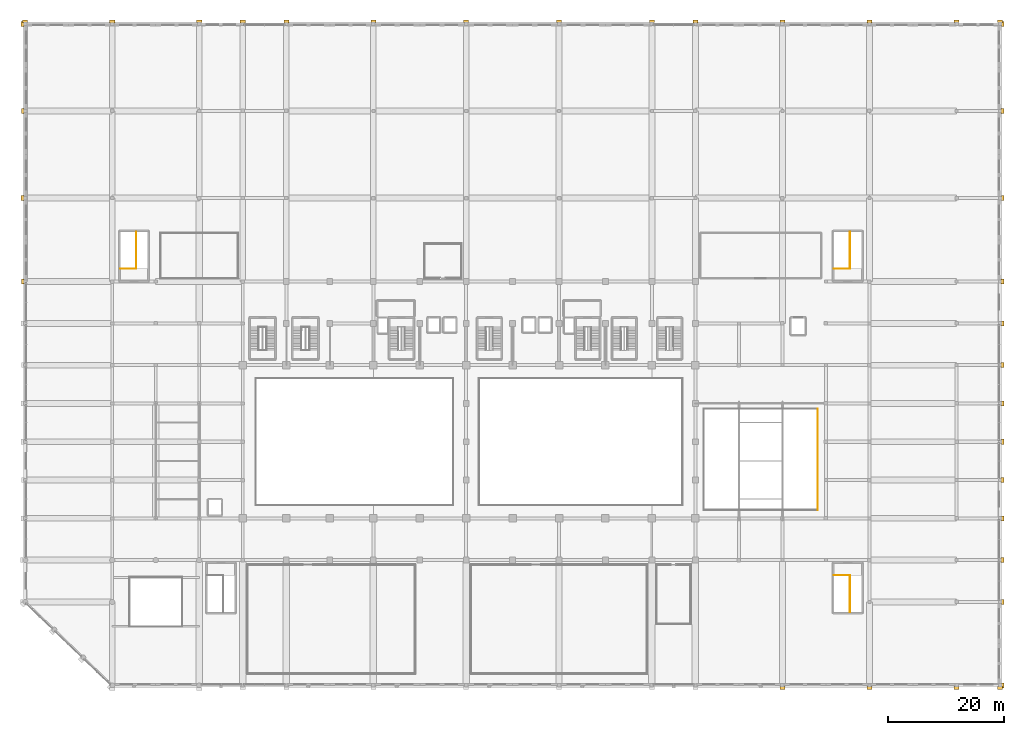
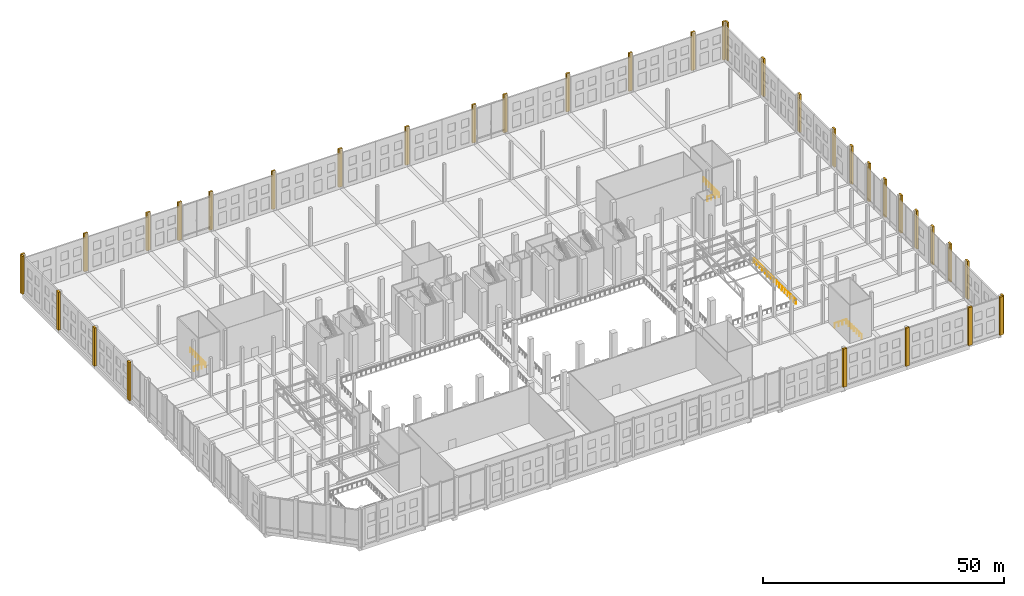
# One storey, part 80 of 80: 35 coverings, 4 railings.
"""IFC4 building model written with IfcOpenShell, lengths in metres."""

import ifcopenshell
import ifcopenshell.guid

model = None  # the IFC model being written
_history = None  # IfcOwnerHistory: only IFC2X3 demands one
_inside = {}  # id of a spatial element -> (the spatial element, [elements in it])
_under = {}  # id of a project, library or spatial element -> (it, [spatial elements below it])
_declared = {}  # id of a project -> (the project, [libraries it declares])
_typed = {}  # id of a type object -> (the type object, [elements of that type])
_made_of = {}  # id of a material, layer set ... -> (it, [elements and type objects made of it])


def new_model(schema):
    """Start an empty IFC model of exactly this schema.

    Asked for "IFC4X3", IfcOpenShell would pick the latest addendum, in which some entities
    have other attributes; the version numbers below select the first issue.
    IFC2X3 requires an IfcOwnerHistory on every rooted entity: one is made here for all.
    """
    global model, _history
    if schema == "IFC4X3":
        model = ifcopenshell.file(schema_version=(4, 3, 0, 0))
    else:
        model = ifcopenshell.file(schema=schema)
    _inside.clear()
    _under.clear()
    _declared.clear()
    _typed.clear()
    _made_of.clear()
    _history = None
    if model.schema == "IFC2X3":
        org = make("IfcOrganization", Name="unknown")
        user = make(
            "IfcPersonAndOrganization",
            ThePerson=make("IfcPerson", FamilyName="unknown"),
            TheOrganization=org,
        )
        app = make(
            "IfcApplication",
            ApplicationDeveloper=org,
            Version="unknown",
            ApplicationFullName="unknown",
            ApplicationIdentifier="unknown",
        )
        _history = make(
            "IfcOwnerHistory",
            OwningUser=user,
            OwningApplication=app,
            ChangeAction="ADDED",
            CreationDate=0,
        )
    return model


def make(cls, **values):
    """One entity of the class cls with the attributes given. An attribute that is None is left unset."""
    return model.create_entity(
        cls, **{name: value for name, value in values.items() if value is not None}
    )


def rooted(cls, **values):
    """An entity with a GlobalId (a new one), such as an element, a storey or a relation."""
    return make(cls, GlobalId=ifcopenshell.guid.new(), OwnerHistory=_history, **values)


def si_unit(unit_type, name, prefix=None):
    """IfcSIUnit, for example si_unit("LENGTHUNIT", "METRE", prefix="MILLI")."""
    return make("IfcSIUnit", UnitType=unit_type, Prefix=prefix, Name=name)


def assignment(units):
    """IfcUnitAssignment: the units of a project."""
    return None if units is None else make("IfcUnitAssignment", Units=units)


def point(xyz):
    """IfcCartesianPoint."""
    return None if xyz is None else make("IfcCartesianPoint", Coordinates=xyz)


def direction(xyz):
    """IfcDirection."""
    return None if xyz is None else make("IfcDirection", DirectionRatios=xyz)


def frame(location, z_axis=None, x_axis=None):
    """IfcAxis2Placement3D, a coordinate frame: its origin and axes. An axis left out is left unset."""
    return make(
        "IfcAxis2Placement3D",
        Location=point(location),
        Axis=direction(z_axis),
        RefDirection=direction(x_axis),
    )


def frame_2d(location, x_axis=None):
    """IfcAxis2Placement2D, a coordinate frame in the plane: its origin and x axis."""
    return make(
        "IfcAxis2Placement2D", Location=point(location), RefDirection=direction(x_axis)
    )


def origin():
    """The frame at (0, 0, 0) with its axes left unset."""
    return frame((0.0, 0.0, 0.0))


def origin_2d():
    """The frame at (0, 0) in the plane with its x axis left unset."""
    return frame_2d((0.0, 0.0))


def place(relative_to, where):
    """IfcLocalPlacement: puts the frame where relative to a parent placement (None: the world)."""
    return make(
        "IfcLocalPlacement", PlacementRelTo=relative_to, RelativePlacement=where
    )


def context(
    kind, dimensions, precision=None, world=None, true_north=None, identifier=None
):
    """IfcGeometricRepresentationContext, for example the 3D "Model" context."""
    return make(
        "IfcGeometricRepresentationContext",
        ContextIdentifier=identifier,
        ContextType=kind,
        CoordinateSpaceDimension=dimensions,
        Precision=precision,
        WorldCoordinateSystem=world,
        TrueNorth=true_north,
    )


def subcontext(parent, identifier, kind, view, scale=None):
    """IfcGeometricRepresentationSubContext, for example "Body" below "Model"."""
    return make(
        "IfcGeometricRepresentationSubContext",
        ContextIdentifier=identifier,
        ContextType=kind,
        ParentContext=parent,
        TargetScale=scale,
        TargetView=view,
    )


def project(units=None, contexts=None):
    """IfcProject with its units and contexts."""
    return rooted(
        "IfcProject",
        Name="project",
        RepresentationContexts=contexts,
        UnitsInContext=assignment(units),
    )


def spatial(cls, under=None, at=None, **own):
    """A site, building, storey or space (cls), placed at a placement, below another one or the project."""
    s = rooted(cls, ObjectPlacement=at, **own)
    if under is not None:
        _under.setdefault(under.id(), (under, []))[1].append(s)
    return s


def profile(cls, at=None, kind="AREA", **sizes):
    """A parametric profile (cls). Its sizes go by their IFC names, for example OverallWidth=200.0."""
    return make(cls, ProfileType=kind, Position=at, **sizes)


def rectangle(**sizes):
    """IfcRectangleProfileDef."""
    return profile("IfcRectangleProfileDef", **sizes)


def circle(**sizes):
    """IfcCircleProfileDef."""
    return profile("IfcCircleProfileDef", **sizes)


def extrude(swept, where, along, depth):
    """IfcExtrudedAreaSolid: the profile swept, set in the frame where, extruded along a direction by depth."""
    return make(
        "IfcExtrudedAreaSolid",
        SweptArea=swept,
        Position=where,
        ExtrudedDirection=direction(along),
        Depth=depth,
    )


def shape(context_of_items, identifier, shape_type, items):
    """IfcShapeRepresentation: the items that make up one representation, for example the "Body"."""
    return make(
        "IfcShapeRepresentation",
        ContextOfItems=context_of_items,
        RepresentationIdentifier=identifier,
        RepresentationType=shape_type,
        Items=items,
    )


def material(Name=None, Category=None):
    """IfcMaterial."""
    return make("IfcMaterial", Name=Name, Category=Category)


def layer(
    of_material, thickness, ventilated=None, Name=None, Category=None, Priority=None
):
    """IfcMaterialLayer: one layer of a wall or slab, of a material (None: an air gap)."""
    return make(
        "IfcMaterialLayer",
        Material=of_material,
        LayerThickness=thickness,
        IsVentilated=ventilated,
        Name=Name,
        Category=Category,
        Priority=Priority,
    )


def layer_set(layers, Name=None):
    """IfcMaterialLayerSet."""
    return make("IfcMaterialLayerSet", MaterialLayers=layers, LayerSetName=Name)


def made_of(thing, what):
    """Note that an element or type object is made of a material, layer set ...; save() writes the relation."""
    if what is not None:
        _made_of.setdefault(what.id(), (what, []))[1].append(thing)
    return thing


def type_object(cls, material=None, **own):
    """A type object (cls), such as IfcWallType, which elements share."""
    return made_of(rooted(cls, **own), material)


def element(
    cls,
    number,
    at=None,
    inside=None,
    cuts=None,
    type_object=None,
    material=None,
    context=None,
    identifier="Body",
    shape_type=None,
    held_by="IfcProductDefinitionShape",
    body=None,
    shapes=None,
    **own,
):
    """One element of the class cls, such as IfcWall. Its Tag is "e" and its number.

    at: its placement. inside: the storey or other place that contains it. cuts: it is an
    opening in that element (IfcRelVoidsElement). A single representation is given by context,
    identifier, shape_type and body (its items); several are given by shapes. held_by: the class
    of the entity that holds the representations. save() writes the other relations.
    """
    e = rooted(cls, Tag="e%d" % number, ObjectPlacement=at, **own)
    if body is not None:
        shapes = [shape(context, identifier, shape_type, body)]
    if shapes is not None:
        e.Representation = make(held_by, Representations=shapes)
    if inside is not None:
        _inside.setdefault(inside.id(), (inside, []))[1].append(e)
    if cuts is not None:
        rooted(
            "IfcRelVoidsElement", RelatingBuildingElement=cuts, RelatedOpeningElement=e
        )
    if type_object is not None:
        _typed.setdefault(type_object.id(), (type_object, []))[1].append(e)
    return made_of(e, material)


def aggregate(whole, parts):
    """IfcRelAggregates: a whole, such as a stair, and the parts it consists of."""
    return rooted("IfcRelAggregates", RelatingObject=whole, RelatedObjects=parts)


def save(model, path):
    """Write the relations noted so far, then the file.

    IfcRelAggregates (storeys below a building ...), IfcRelContainedInSpatialStructure (elements
    in a storey), IfcRelDefinesByType, IfcRelAssociatesMaterial and IfcRelDeclares: one each for
    every whole, place, type object, material and project.
    """
    for whole, parts in _under.values():
        aggregate(whole, parts)
    for where, things in _inside.values():
        rooted(
            "IfcRelContainedInSpatialStructure",
            RelatedElements=things,
            RelatingStructure=where,
        )
    for kind, things in _typed.values():
        rooted("IfcRelDefinesByType", RelatedObjects=things, RelatingType=kind)
    for what, things in _made_of.values():
        rooted("IfcRelAssociatesMaterial", RelatedObjects=things, RelatingMaterial=what)
    for by, libraries in _declared.values():
        rooted("IfcRelDeclares", RelatingContext=by, RelatedDefinitions=libraries)
    model.write(path)


model = new_model("IFC4")

# Units and contexts
model_context = context("Model", 3, precision=1e-05, world=origin(), true_north=direction((0.0, 1.0)))
body_context = subcontext(model_context, "Body", "Model", "MODEL_VIEW")
ifc_project = project(units=[si_unit("LENGTHUNIT", "METRE"), si_unit("AREAUNIT", "SQUARE_METRE"), si_unit("VOLUMEUNIT", "CUBIC_METRE"), si_unit("PLANEANGLEUNIT", "RADIAN"), si_unit("MASSUNIT", "GRAM", prefix="KILO")], contexts=[model_context])

# Site, building, storey
site_placement = place(None, origin())
site = spatial("IfcSite", under=ifc_project, at=site_placement, CompositionType="ELEMENT")
building_placement = place(site_placement, origin())
building = spatial("IfcBuilding", under=site, at=building_placement, Name="Akrevak Sports Hall", CompositionType="ELEMENT")
storey_placement = place(building_placement, frame((0.0, 0.0, 14.0)))
storey = spatial("IfcBuildingStorey", under=building, at=storey_placement, Name="L03", CompositionType="ELEMENT", Elevation=14.0)

# Coverings
ifc_material_1 = material(Name="Limestone Ashlar", Category="stone")
ifc_layer_1 = layer(ifc_material_1, 0.47998046875, Name="Limestone Ashlar")
ifc_layer_set_1 = layer_set([ifc_layer_1], Name="Limestone Ashlar")
covering_type = type_object("IfcCoveringType", Name="ARC-COV-PIL-LIM", PredefinedType="CLADDING", material=ifc_layer_set_1)
for number, where, z_axis, x_axis, name in (
    (1, (130.5, -0.449951171875, 0.0), (0.0, 0.0, 1.0), (1.0, 0.0, 0.0), "Giant-Order Limestone Pilaster L03-01-10"),
    (2, (145.5, -0.425048828125, 0.0), (0.0, 0.0, 1.0), (1.0, 0.0, 0.0), "Giant-Order Limestone Pilaster L03-01-11"),
    (3, (160.5, -0.449951171875, 0.0), (0.0, 0.0, 1.0), (1.0, 0.0, 0.0), "Giant-Order Limestone Pilaster L03-01-12"),
    (4, (168.0, -0.449951171875, 0.0), (0.0, 0.0, 1.0), (1.0, 0.0, 0.0), "Giant-Order Limestone Pilaster L03-01-13"),
    (5, (168.449951171875, 0.0, 0.0), (0.0, 0.0, 1.0), (0.0, 1.0, 0.0), "Giant-Order Limestone Pilaster L03-02-13"),
    (6, (168.449951171875, 14.39990234375, 0.0), (0.0, 0.0, 1.0), (0.0, 1.0, 0.0), "Giant-Order Limestone Pilaster L03-02-14"),
    (7, (168.425048828125, 21.60009765625, 0.0), (0.0, 0.0, 1.0), (0.0, 1.0, 0.0), "Giant-Order Limestone Pilaster L03-02-15"),
    (8, (168.449951171875, 28.800048828125, 0.0), (0.0, 0.0, 1.0), (0.0, 1.0, 0.0), "Giant-Order Limestone Pilaster L03-02-16"),
    (9, (168.425048828125, 35.39990234375, 0.0), (0.0, 0.0, 1.0), (0.0, 1.0, 0.0), "Giant-Order Limestone Pilaster L03-02-17"),
    (10, (168.449951171875, 42.0, 0.0), (0.0, 0.0, 1.0), (0.0, 1.0, 0.0), "Giant-Order Limestone Pilaster L03-02-18"),
    (11, (168.449951171875, 48.60009765625, 0.0), (0.0, 0.0, 1.0), (0.0, 1.0, 0.0), "Giant-Order Limestone Pilaster L03-02-19"),
    (12, (168.425048828125, 55.199951171875, 0.0), (0.0, 0.0, 1.0), (0.0, 1.0, 0.0), "Giant-Order Limestone Pilaster L03-02-20"),
    (13, (168.449951171875, 62.39990234375, 0.0), (0.0, 0.0, 1.0), (0.0, 1.0, 0.0), "Giant-Order Limestone Pilaster L03-02-21"),
    (14, (168.425048828125, 69.60009765625, 0.0), (0.0, 0.0, 1.0), (0.0, 1.0, 0.0), "Giant-Order Limestone Pilaster L03-02-22"),
    (15, (168.449951171875, 84.0, 0.0), (0.0, 0.0, 1.0), (0.0, 1.0, 0.0), "Giant-Order Limestone Pilaster L03-02-23"),
    (16, (168.425048828125, 99.0, 0.0), (0.0, 0.0, 1.0), (0.0, 1.0, 0.0), "Giant-Order Limestone Pilaster L03-02-24"),
    (17, (168.449951171875, 114.0, 0.0), (0.0, 0.0, 1.0), (0.0, 1.0, 0.0), "Giant-Order Limestone Pilaster L03-02-25"),
    (18, (0.0, 114.449951171875, 0.0), (0.0, 0.0, 1.0), (-1.0, 0.0, 0.0), "Giant-Order Limestone Pilaster L03-03-26"),
    (19, (15.0, 114.425048828125, 0.0), (0.0, 0.0, 1.0), (-1.0, 0.0, 0.0), "Giant-Order Limestone Pilaster L03-03-27"),
    (20, (30.0, 114.449951171875, 0.0), (0.0, 0.0, 1.0), (-1.0, 0.0, 0.0), "Giant-Order Limestone Pilaster L03-03-28"),
    (21, (37.5, 114.425048828125, 0.0), (0.0, 0.0, 1.0), (-1.0, 0.0, 0.0), "Giant-Order Limestone Pilaster L03-03-29"),
    (22, (45.0, 114.425048828125, 0.0), (0.0, 0.0, 1.0), (-1.0, 0.0, 0.0), "Giant-Order Limestone Pilaster L03-03-30"),
    (23, (60.0, 114.449951171875, 0.0), (0.0, 0.0, 1.0), (-1.0, 0.0, 0.0), "Giant-Order Limestone Pilaster L03-03-31"),
    (24, (76.0, 114.449951171875, 0.0), (0.0, 0.0, 1.0), (-1.0, 0.0, 0.0), "Giant-Order Limestone Pilaster L03-03-32"),
    (25, (92.0, 114.449951171875, 0.0), (0.0, 0.0, 1.0), (-1.0, 0.0, 0.0), "Giant-Order Limestone Pilaster L03-03-33"),
    (26, (108.0, 114.449951171875, 0.0), (0.0, 0.0, 1.0), (-1.0, 0.0, 0.0), "Giant-Order Limestone Pilaster L03-03-34"),
    (27, (115.5, 114.425048828125, 0.0), (0.0, 0.0, 1.0), (-1.0, 0.0, 0.0), "Giant-Order Limestone Pilaster L03-03-35"),
    (28, (130.5, 114.449951171875, 0.0), (0.0, 0.0, 1.0), (-1.0, 0.0, 0.0), "Giant-Order Limestone Pilaster L03-03-36"),
    (29, (145.5, 114.425048828125, 0.0), (0.0, 0.0, 1.0), (-1.0, 0.0, 0.0), "Giant-Order Limestone Pilaster L03-03-37"),
    (30, (160.5, 114.449951171875, 0.0), (0.0, 0.0, 1.0), (-1.0, 0.0, 0.0), "Giant-Order Limestone Pilaster L03-03-38"),
    (31, (168.0, 114.449951171875, 0.0), (0.0, 0.0, 1.0), (-1.0, 0.0, 0.0), "Giant-Order Limestone Pilaster L03-03-38"),
    (32, (-0.425048828125, 69.60009765625, 0.0), (0.0, 0.0, 1.0), (0.0, -1.0, 0.0), "Giant-Order Limestone Pilaster L03-04-47"),
    (33, (-0.449951171875, 84.0, 0.0), (0.0, 0.0, 1.0), (0.0, -1.0, 0.0), "Giant-Order Limestone Pilaster L03-04-48"),
    (34, (-0.425048828125, 99.0, 0.0), (0.0, 0.0, 1.0), (0.0, -1.0, 0.0), "Giant-Order Limestone Pilaster L03-04-49"),
    (35, (-0.449951171875, 114.0, 0.0), (0.0, 0.0, 1.0), (0.0, -1.0, 0.0), "Giant-Order Limestone Pilaster L03-04-49"),
):
    element("IfcCovering", number, at=place(storey_placement, frame(where, z_axis=z_axis, x_axis=x_axis)), inside=storey, type_object=covering_type, Name=name, PredefinedType="CLADDING", context=body_context, shape_type="SweptSolid", body=[
        extrude(rectangle(XDim=0.8798828125, YDim=0.4599609375, at=origin_2d()), origin(), (0.0, 0.0, 1.0), 9.64990234375),
    ])

# Railings
ifc_material_2 = material(Name="Painted Architectural Balustrade Steel", Category="steel")
ifc_layer_2 = layer(ifc_material_2, 0.06005859375, Name="Painted Architectural Balustrade Steel")
ifc_layer_set_2 = layer_set([ifc_layer_2], Name="Painted Architectural Balustrade Steel")
railing_type_1 = type_object("IfcRailingType", Name="ARC-RL-GRD-1120", PredefinedType="GUARDRAIL", material=ifc_layer_set_2)
railing_1_placement = place(storey_placement, frame((16.3701171875, 71.81005859375, 0.0)))
element("IfcRailing", 36, at=railing_1_placement, inside=storey, type_object=railing_type_1, Name="Top Stairwell Guardrail ST6 (L03)", PredefinedType="GUARDRAIL", context=body_context, shape_type="SweptSolid", body=[
    extrude(circle(Radius=0.02392578125, at=origin_2d()), frame((0.0, 0.0, 1.09619140625), z_axis=(1.0, 0.0, 0.0), x_axis=(0.0, 1.0, 0.0)), (0.0, 0.0, 1.0), 2.77978515625),
    extrude(circle(Radius=0.02392578125, at=origin_2d()), frame((2.77978515625, 0.0, 1.09619140625), z_axis=(0.0, 1.0, 0.0), x_axis=(-1.0, 0.0, 0.0)), (0.0, 0.0, 1.0), 6.349853515625),
    extrude(circle(Radius=0.02099609375, at=origin_2d()), origin(), (0.0, 0.0, 1.0), 1.072021484375),
    extrude(circle(Radius=0.02099609375, at=origin_2d()), frame((0.926513671875, 0.0, 0.0)), (0.0, 0.0, 1.0), 1.072021484375),
    extrude(circle(Radius=0.02099609375, at=origin_2d()), frame((1.853271484375, 0.0, 0.0)), (0.0, 0.0, 1.0), 1.072021484375),
    extrude(circle(Radius=0.02099609375, at=origin_2d()), frame((2.77978515625, 0.0, 0.0)), (0.0, 0.0, 1.0), 1.072021484375),
    extrude(circle(Radius=0.02099609375, at=origin_2d()), frame((2.77978515625, 1.058349609375, 0.0)), (0.0, 0.0, 1.0), 1.072021484375),
    extrude(circle(Radius=0.02099609375, at=origin_2d()), frame((2.77978515625, 2.11669921875, 0.0)), (0.0, 0.0, 1.0), 1.072021484375),
    extrude(circle(Radius=0.02099609375, at=origin_2d()), frame((2.77978515625, 3.1748046875, 0.0)), (0.0, 0.0, 1.0), 1.072021484375),
    extrude(circle(Radius=0.02099609375, at=origin_2d()), frame((2.77978515625, 4.233154296875, 0.0)), (0.0, 0.0, 1.0), 1.072021484375),
    extrude(circle(Radius=0.02099609375, at=origin_2d()), frame((2.77978515625, 5.29150390625, 0.0)), (0.0, 0.0, 1.0), 1.072021484375),
    extrude(circle(Radius=0.02099609375, at=origin_2d()), frame((2.77978515625, 6.349853515625, 0.0)), (0.0, 0.0, 1.0), 1.072021484375),
])
railing_2_placement = place(storey_placement, frame((139.3701171875, 18.989990234375, 0.0)))
element("IfcRailing", 37, at=railing_2_placement, inside=storey, type_object=railing_type_1, Name="Top Stairwell Guardrail ST7 (L03)", PredefinedType="GUARDRAIL", context=body_context, shape_type="SweptSolid", body=[
    extrude(circle(Radius=0.02392578125, at=origin_2d()), frame((0.0, 0.0, 1.09619140625), z_axis=(1.0, 0.0, 0.0), x_axis=(0.0, 1.0, 0.0)), (0.0, 0.0, 1.0), 2.77978515625),
    extrude(circle(Radius=0.02392578125, at=origin_2d()), frame((2.77978515625, 0.0, 1.09619140625), z_axis=(0.0, -1.0, 0.0), x_axis=(1.0, 0.0, 0.0)), (0.0, 0.0, 1.0), 6.35009765625),
    extrude(circle(Radius=0.02099609375, at=origin_2d()), origin(), (0.0, 0.0, 1.0), 1.072021484375),
    extrude(circle(Radius=0.02099609375, at=origin_2d()), frame((0.926513671875, 0.0, 0.0)), (0.0, 0.0, 1.0), 1.072021484375),
    extrude(circle(Radius=0.02099609375, at=origin_2d()), frame((1.853271484375, 0.0, 0.0)), (0.0, 0.0, 1.0), 1.072021484375),
    extrude(circle(Radius=0.02099609375, at=origin_2d()), frame((2.77978515625, 0.0, 0.0)), (0.0, 0.0, 1.0), 1.072021484375),
    extrude(circle(Radius=0.02099609375, at=origin_2d()), frame((2.77978515625, -1.058349609375, 0.0)), (0.0, 0.0, 1.0), 1.072021484375),
    extrude(circle(Radius=0.02099609375, at=origin_2d()), frame((2.77978515625, -2.11669921875, 0.0)), (0.0, 0.0, 1.0), 1.072021484375),
    extrude(circle(Radius=0.02099609375, at=origin_2d()), frame((2.77978515625, -3.175048828125, 0.0)), (0.0, 0.0, 1.0), 1.072021484375),
    extrude(circle(Radius=0.02099609375, at=origin_2d()), frame((2.77978515625, -4.2333984375, 0.0)), (0.0, 0.0, 1.0), 1.072021484375),
    extrude(circle(Radius=0.02099609375, at=origin_2d()), frame((2.77978515625, -5.291748046875, 0.0)), (0.0, 0.0, 1.0), 1.072021484375),
    extrude(circle(Radius=0.02099609375, at=origin_2d()), frame((2.77978515625, -6.35009765625, 0.0)), (0.0, 0.0, 1.0), 1.072021484375),
])
railing_3_placement = place(storey_placement, frame((139.3701171875, 71.81005859375, 0.0)))
element("IfcRailing", 38, at=railing_3_placement, inside=storey, type_object=railing_type_1, Name="Top Stairwell Guardrail ST8 (L03)", PredefinedType="GUARDRAIL", context=body_context, shape_type="SweptSolid", body=[
    extrude(circle(Radius=0.02392578125, at=origin_2d()), frame((0.0, 0.0, 1.09619140625), z_axis=(1.0, 0.0, 0.0), x_axis=(0.0, 1.0, 0.0)), (0.0, 0.0, 1.0), 2.77978515625),
    extrude(circle(Radius=0.02392578125, at=origin_2d()), frame((2.77978515625, 0.0, 1.09619140625), z_axis=(0.0, 1.0, 0.0), x_axis=(-1.0, 0.0, 0.0)), (0.0, 0.0, 1.0), 6.349853515625),
    extrude(circle(Radius=0.02099609375, at=origin_2d()), origin(), (0.0, 0.0, 1.0), 1.072021484375),
    extrude(circle(Radius=0.02099609375, at=origin_2d()), frame((0.926513671875, 0.0, 0.0)), (0.0, 0.0, 1.0), 1.072021484375),
    extrude(circle(Radius=0.02099609375, at=origin_2d()), frame((1.853271484375, 0.0, 0.0)), (0.0, 0.0, 1.0), 1.072021484375),
    extrude(circle(Radius=0.02099609375, at=origin_2d()), frame((2.77978515625, 0.0, 0.0)), (0.0, 0.0, 1.0), 1.072021484375),
    extrude(circle(Radius=0.02099609375, at=origin_2d()), frame((2.77978515625, 1.058349609375, 0.0)), (0.0, 0.0, 1.0), 1.072021484375),
    extrude(circle(Radius=0.02099609375, at=origin_2d()), frame((2.77978515625, 2.11669921875, 0.0)), (0.0, 0.0, 1.0), 1.072021484375),
    extrude(circle(Radius=0.02099609375, at=origin_2d()), frame((2.77978515625, 3.1748046875, 0.0)), (0.0, 0.0, 1.0), 1.072021484375),
    extrude(circle(Radius=0.02099609375, at=origin_2d()), frame((2.77978515625, 4.233154296875, 0.0)), (0.0, 0.0, 1.0), 1.072021484375),
    extrude(circle(Radius=0.02099609375, at=origin_2d()), frame((2.77978515625, 5.29150390625, 0.0)), (0.0, 0.0, 1.0), 1.072021484375),
    extrude(circle(Radius=0.02099609375, at=origin_2d()), frame((2.77978515625, 6.349853515625, 0.0)), (0.0, 0.0, 1.0), 1.072021484375),
])
ifc_material_3 = material(Name="Anodized Bronze Aluminium & Laminated Glass", Category="aluminium")
ifc_layer_3 = layer(ifc_material_3, 0.080078125, Name="Anodized Bronze Aluminium & Laminated Glass")
ifc_layer_set_3 = layer_set([ifc_layer_3], Name="Anodized Bronze Aluminium & Laminated Glass")
railing_type_2 = type_object("IfcRailingType", Name="ARC-RL-GRD-1150", PredefinedType="GUARDRAIL", material=ifc_layer_set_3)
railing_4_placement = place(storey_placement, frame((136.580078125, 30.219970703125, 0.0)))
element("IfcRailing", 39, at=railing_4_placement, inside=storey, type_object=railing_type_2, Name="Atrium/Arena Gallery Guardrail L03-CLM-E", PredefinedType="GUARDRAIL", context=body_context, shape_type="SweptSolid", body=[
    extrude(circle(Radius=0.02392578125, at=origin_2d()), frame((0.0, 0.0, 1.1259765625), z_axis=(0.0, 1.0, 0.0), x_axis=(-1.0, 0.0, 0.0)), (0.0, 0.0, 1.0), 17.4599609375),
    extrude(circle(Radius=0.02099609375, at=origin_2d()), origin(), (0.0, 0.0, 1.0), 1.101806640625),
    extrude(circle(Radius=0.02099609375, at=origin_2d()), frame((0.0, 1.1640625, 0.0)), (0.0, 0.0, 1.0), 1.101806640625),
    extrude(circle(Radius=0.02099609375, at=origin_2d()), frame((0.0, 2.327880859375, 0.0)), (0.0, 0.0, 1.0), 1.101806640625),
    extrude(circle(Radius=0.02099609375, at=origin_2d()), frame((0.0, 3.491943359375, 0.0)), (0.0, 0.0, 1.0), 1.101806640625),
    extrude(circle(Radius=0.02099609375, at=origin_2d()), frame((0.0, 4.656005859375, 0.0)), (0.0, 0.0, 1.0), 1.101806640625),
    extrude(circle(Radius=0.02099609375, at=origin_2d()), frame((0.0, 5.820068359375, 0.0)), (0.0, 0.0, 1.0), 1.101806640625),
    extrude(circle(Radius=0.02099609375, at=origin_2d()), frame((0.0, 6.98388671875, 0.0)), (0.0, 0.0, 1.0), 1.101806640625),
    extrude(circle(Radius=0.02099609375, at=origin_2d()), frame((0.0, 8.14794921875, 0.0)), (0.0, 0.0, 1.0), 1.101806640625),
    extrude(circle(Radius=0.02099609375, at=origin_2d()), frame((0.0, 9.31201171875, 0.0)), (0.0, 0.0, 1.0), 1.101806640625),
    extrude(circle(Radius=0.02099609375, at=origin_2d()), frame((0.0, 10.47607421875, 0.0)), (0.0, 0.0, 1.0), 1.101806640625),
    extrude(circle(Radius=0.02099609375, at=origin_2d()), frame((0.0, 11.639892578125, 0.0)), (0.0, 0.0, 1.0), 1.101806640625),
    extrude(circle(Radius=0.02099609375, at=origin_2d()), frame((0.0, 12.803955078125, 0.0)), (0.0, 0.0, 1.0), 1.101806640625),
    extrude(circle(Radius=0.02099609375, at=origin_2d()), frame((0.0, 13.968017578125, 0.0)), (0.0, 0.0, 1.0), 1.101806640625),
    extrude(circle(Radius=0.02099609375, at=origin_2d()), frame((0.0, 15.132080078125, 0.0)), (0.0, 0.0, 1.0), 1.101806640625),
    extrude(circle(Radius=0.02099609375, at=origin_2d()), frame((0.0, 16.2958984375, 0.0)), (0.0, 0.0, 1.0), 1.101806640625),
    extrude(circle(Radius=0.02099609375, at=origin_2d()), frame((0.0, 17.4599609375, 0.0)), (0.0, 0.0, 1.0), 1.101806640625),
])

save(model, "model.ifc")
